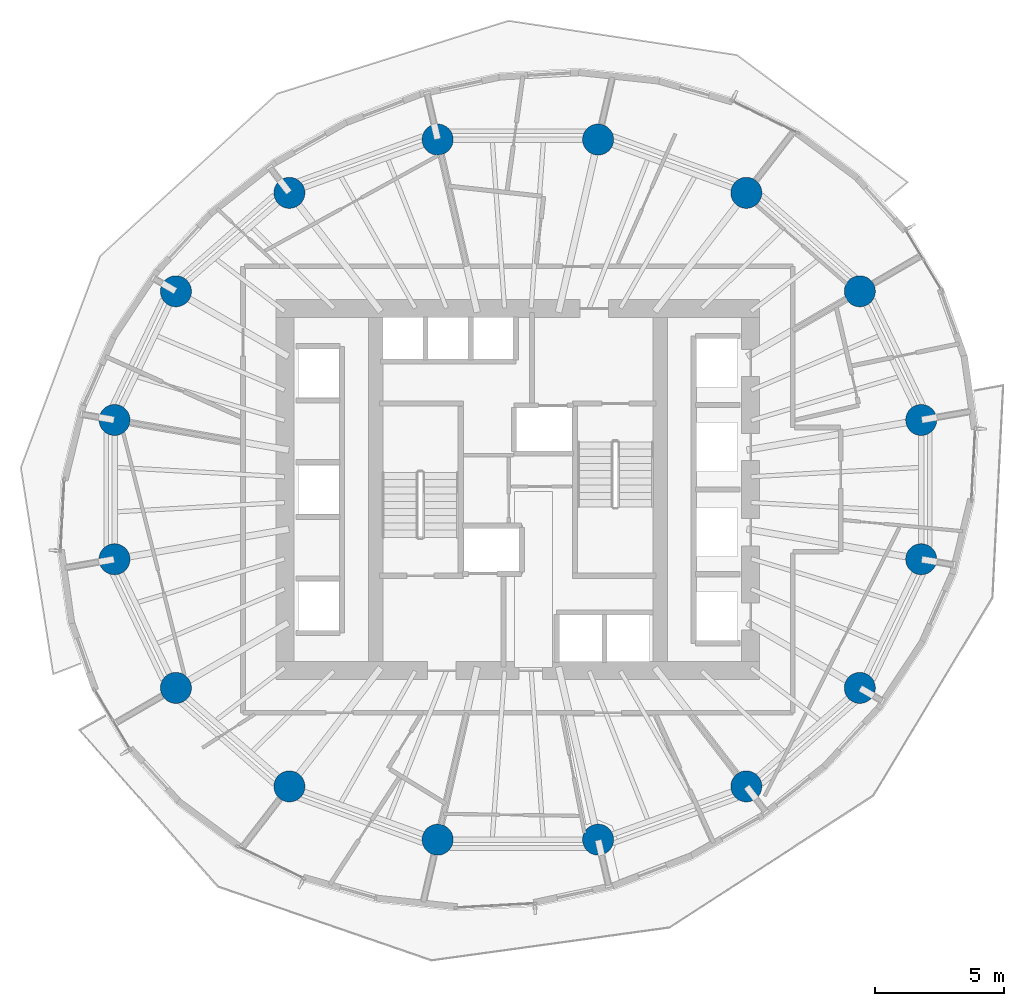
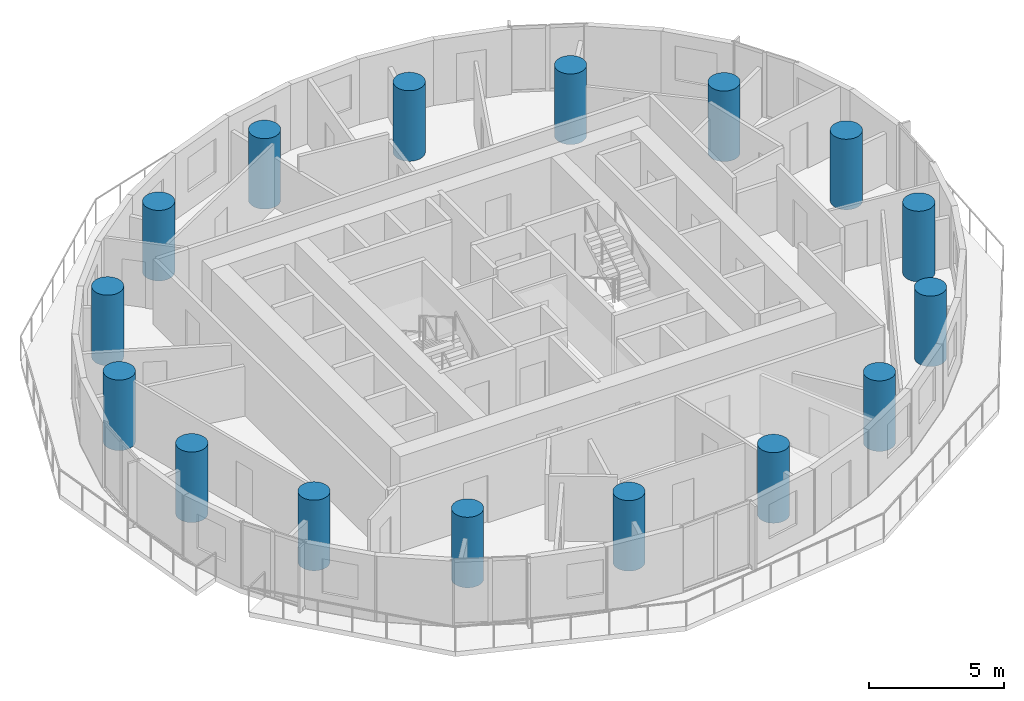
# One storey, part 1 of 15: 16 columns.
"""IFC4 building model written with IfcOpenShell, lengths in metres."""

import ifcopenshell
import ifcopenshell.guid

model = None  # the IFC model being written
_history = None  # IfcOwnerHistory: only IFC2X3 demands one
_inside = {}  # id of a spatial element -> (the spatial element, [elements in it])
_under = {}  # id of a project, library or spatial element -> (it, [spatial elements below it])
_declared = {}  # id of a project -> (the project, [libraries it declares])
_typed = {}  # id of a type object -> (the type object, [elements of that type])
_made_of = {}  # id of a material, layer set ... -> (it, [elements and type objects made of it])


def new_model(schema):
    """Start an empty IFC model of exactly this schema.

    Asked for "IFC4X3", IfcOpenShell would pick the latest addendum, in which some entities
    have other attributes; the version numbers below select the first issue.
    IFC2X3 requires an IfcOwnerHistory on every rooted entity: one is made here for all.
    """
    global model, _history
    if schema == "IFC4X3":
        model = ifcopenshell.file(schema_version=(4, 3, 0, 0))
    else:
        model = ifcopenshell.file(schema=schema)
    _inside.clear()
    _under.clear()
    _declared.clear()
    _typed.clear()
    _made_of.clear()
    _history = None
    if model.schema == "IFC2X3":
        org = make("IfcOrganization", Name="unknown")
        user = make(
            "IfcPersonAndOrganization",
            ThePerson=make("IfcPerson", FamilyName="unknown"),
            TheOrganization=org,
        )
        app = make(
            "IfcApplication",
            ApplicationDeveloper=org,
            Version="unknown",
            ApplicationFullName="unknown",
            ApplicationIdentifier="unknown",
        )
        _history = make(
            "IfcOwnerHistory",
            OwningUser=user,
            OwningApplication=app,
            ChangeAction="ADDED",
            CreationDate=0,
        )
    return model


def make(cls, **values):
    """One entity of the class cls with the attributes given. An attribute that is None is left unset."""
    return model.create_entity(
        cls, **{name: value for name, value in values.items() if value is not None}
    )


def rooted(cls, **values):
    """An entity with a GlobalId (a new one), such as an element, a storey or a relation."""
    return make(cls, GlobalId=ifcopenshell.guid.new(), OwnerHistory=_history, **values)


def si_unit(unit_type, name, prefix=None):
    """IfcSIUnit, for example si_unit("LENGTHUNIT", "METRE", prefix="MILLI")."""
    return make("IfcSIUnit", UnitType=unit_type, Prefix=prefix, Name=name)


def assignment(units):
    """IfcUnitAssignment: the units of a project."""
    return None if units is None else make("IfcUnitAssignment", Units=units)


def point(xyz):
    """IfcCartesianPoint."""
    return None if xyz is None else make("IfcCartesianPoint", Coordinates=xyz)


def direction(xyz):
    """IfcDirection."""
    return None if xyz is None else make("IfcDirection", DirectionRatios=xyz)


def frame(location, z_axis=None, x_axis=None):
    """IfcAxis2Placement3D, a coordinate frame: its origin and axes. An axis left out is left unset."""
    return make(
        "IfcAxis2Placement3D",
        Location=point(location),
        Axis=direction(z_axis),
        RefDirection=direction(x_axis),
    )


def frame_2d(location, x_axis=None):
    """IfcAxis2Placement2D, a coordinate frame in the plane: its origin and x axis."""
    return make(
        "IfcAxis2Placement2D", Location=point(location), RefDirection=direction(x_axis)
    )


def origin():
    """The frame at (0, 0, 0) with its axes left unset."""
    return frame((0.0, 0.0, 0.0))


def origin_2d():
    """The frame at (0, 0) in the plane with its x axis left unset."""
    return frame_2d((0.0, 0.0))


def place(relative_to, where):
    """IfcLocalPlacement: puts the frame where relative to a parent placement (None: the world)."""
    return make(
        "IfcLocalPlacement", PlacementRelTo=relative_to, RelativePlacement=where
    )


def context(
    kind, dimensions, precision=None, world=None, true_north=None, identifier=None
):
    """IfcGeometricRepresentationContext, for example the 3D "Model" context."""
    return make(
        "IfcGeometricRepresentationContext",
        ContextIdentifier=identifier,
        ContextType=kind,
        CoordinateSpaceDimension=dimensions,
        Precision=precision,
        WorldCoordinateSystem=world,
        TrueNorth=true_north,
    )


def subcontext(parent, identifier, kind, view, scale=None):
    """IfcGeometricRepresentationSubContext, for example "Body" below "Model"."""
    return make(
        "IfcGeometricRepresentationSubContext",
        ContextIdentifier=identifier,
        ContextType=kind,
        ParentContext=parent,
        TargetScale=scale,
        TargetView=view,
    )


def project(units=None, contexts=None):
    """IfcProject with its units and contexts."""
    return rooted(
        "IfcProject",
        Name="project",
        RepresentationContexts=contexts,
        UnitsInContext=assignment(units),
    )


def spatial(cls, under=None, at=None, **own):
    """A site, building, storey or space (cls), placed at a placement, below another one or the project."""
    s = rooted(cls, ObjectPlacement=at, **own)
    if under is not None:
        _under.setdefault(under.id(), (under, []))[1].append(s)
    return s


def profile(cls, at=None, kind="AREA", **sizes):
    """A parametric profile (cls). Its sizes go by their IFC names, for example OverallWidth=200.0."""
    return make(cls, ProfileType=kind, Position=at, **sizes)


def circle(**sizes):
    """IfcCircleProfileDef."""
    return profile("IfcCircleProfileDef", **sizes)


def extrude(swept, where, along, depth):
    """IfcExtrudedAreaSolid: the profile swept, set in the frame where, extruded along a direction by depth."""
    return make(
        "IfcExtrudedAreaSolid",
        SweptArea=swept,
        Position=where,
        ExtrudedDirection=direction(along),
        Depth=depth,
    )


def shape(context_of_items, identifier, shape_type, items):
    """IfcShapeRepresentation: the items that make up one representation, for example the "Body"."""
    return make(
        "IfcShapeRepresentation",
        ContextOfItems=context_of_items,
        RepresentationIdentifier=identifier,
        RepresentationType=shape_type,
        Items=items,
    )


def material(Name=None, Category=None):
    """IfcMaterial."""
    return make("IfcMaterial", Name=Name, Category=Category)


def material_profile(
    of_material, cross_section, Name=None, Category=None, Priority=None
):
    """IfcMaterialProfile: a cross section and its material."""
    return make(
        "IfcMaterialProfile",
        Name=Name,
        Material=of_material,
        Profile=cross_section,
        Priority=Priority,
        Category=Category,
    )


def profile_set(profiles, Name=None, composite=None):
    """IfcMaterialProfileSet."""
    return make(
        "IfcMaterialProfileSet",
        Name=Name,
        MaterialProfiles=profiles,
        CompositeProfile=composite,
    )


def made_of(thing, what):
    """Note that an element or type object is made of a material, layer set ...; save() writes the relation."""
    if what is not None:
        _made_of.setdefault(what.id(), (what, []))[1].append(thing)
    return thing


def type_object(cls, material=None, **own):
    """A type object (cls), such as IfcWallType, which elements share."""
    return made_of(rooted(cls, **own), material)


def element(
    cls,
    number,
    at=None,
    inside=None,
    cuts=None,
    type_object=None,
    material=None,
    context=None,
    identifier="Body",
    shape_type=None,
    held_by="IfcProductDefinitionShape",
    body=None,
    shapes=None,
    **own,
):
    """One element of the class cls, such as IfcWall. Its Tag is "e" and its number.

    at: its placement. inside: the storey or other place that contains it. cuts: it is an
    opening in that element (IfcRelVoidsElement). A single representation is given by context,
    identifier, shape_type and body (its items); several are given by shapes. held_by: the class
    of the entity that holds the representations. save() writes the other relations.
    """
    e = rooted(cls, Tag="e%d" % number, ObjectPlacement=at, **own)
    if body is not None:
        shapes = [shape(context, identifier, shape_type, body)]
    if shapes is not None:
        e.Representation = make(held_by, Representations=shapes)
    if inside is not None:
        _inside.setdefault(inside.id(), (inside, []))[1].append(e)
    if cuts is not None:
        rooted(
            "IfcRelVoidsElement", RelatingBuildingElement=cuts, RelatedOpeningElement=e
        )
    if type_object is not None:
        _typed.setdefault(type_object.id(), (type_object, []))[1].append(e)
    return made_of(e, material)


def aggregate(whole, parts):
    """IfcRelAggregates: a whole, such as a stair, and the parts it consists of."""
    return rooted("IfcRelAggregates", RelatingObject=whole, RelatedObjects=parts)


def save(model, path):
    """Write the relations noted so far, then the file.

    IfcRelAggregates (storeys below a building ...), IfcRelContainedInSpatialStructure (elements
    in a storey), IfcRelDefinesByType, IfcRelAssociatesMaterial and IfcRelDeclares: one each for
    every whole, place, type object, material and project.
    """
    for whole, parts in _under.values():
        aggregate(whole, parts)
    for where, things in _inside.values():
        rooted(
            "IfcRelContainedInSpatialStructure",
            RelatedElements=things,
            RelatingStructure=where,
        )
    for kind, things in _typed.values():
        rooted("IfcRelDefinesByType", RelatedObjects=things, RelatingType=kind)
    for what, things in _made_of.values():
        rooted("IfcRelAssociatesMaterial", RelatedObjects=things, RelatingMaterial=what)
    for by, libraries in _declared.values():
        rooted("IfcRelDeclares", RelatingContext=by, RelatedDefinitions=libraries)
    model.write(path)


model = new_model("IFC4")

# Units and contexts
model_context = context("Model", 3, precision=1e-05, world=origin(), true_north=direction((0.0, 1.0)))
body_context = subcontext(model_context, "Body", "Model", "MODEL_VIEW")
ifc_project = project(units=[si_unit("LENGTHUNIT", "METRE"), si_unit("AREAUNIT", "SQUARE_METRE"), si_unit("VOLUMEUNIT", "CUBIC_METRE"), si_unit("PLANEANGLEUNIT", "RADIAN"), si_unit("MASSUNIT", "GRAM", prefix="KILO")], contexts=[model_context])

# Site, building, storey
site_placement = place(None, origin())
site = spatial("IfcSite", under=ifc_project, at=site_placement, CompositionType="ELEMENT")
building_placement = place(site_placement, origin())
building = spatial("IfcBuilding", under=site, at=building_placement, Name="Veldorim Arch Residences", CompositionType="ELEMENT")
storey_placement = place(building_placement, frame((0.0, 0.0, 106.080078125)))
storey = spatial("IfcBuildingStorey", under=building, at=storey_placement, Name="L31", CompositionType="ELEMENT", Elevation=106.080078125)

# Columns
ifc_material = material(Name="Concrete C60/75", Category="concrete")
ifc_material_profile = material_profile(ifc_material, circle(Radius=0.60009765625, at=origin_2d()), Name="RC_CIRC_1200")
ifc_profile_set = profile_set([ifc_material_profile], Name="Concrete C60/75")
column_type = type_object("IfcColumnType", Name="Structural Column RC_CIRC_1200", PredefinedType="COLUMN", material=ifc_profile_set)
for number, where, z_axis, x_axis, name in (
    (1, (47.594482421875, 26.692138671875, 0.0), (0.0, 0.0, 1.0), (1.0, 0.0, 0.0), "L31 TC-Z2-01 perimeter column"),
    (2, (45.220458984375, 31.6669921875, 0.0), (0.0, 0.0, 1.0), (1.0, 0.0, 0.0), "L31 TC-Z2-02 perimeter column"),
    (3, (40.83349609375, 35.474365234375, 0.0), (0.0, 0.0, 1.0), (1.0, 0.0, 0.0), "L31 TC-Z2-03 perimeter column"),
    (4, (35.101806640625, 37.534912109375, 0.0), (0.0, 0.0, 1.0), (1.0, 0.0, 0.0), "L31 TC-Z2-04 perimeter column"),
    (5, (28.898193359375, 37.534912109375, 0.0), (0.0, 0.0, 1.0), (1.0, 0.0, 0.0), "L31 TC-Z2-05 perimeter column"),
    (6, (23.16650390625, 35.474365234375, 0.0), (0.0, 0.0, 1.0), (1.0, 0.0, 0.0), "L31 TC-Z2-06 perimeter column"),
    (7, (18.779541015625, 31.6669921875, 0.0), (0.0, 0.0, 1.0), (1.0, 0.0, 0.0), "L31 TC-Z2-07 perimeter column"),
    (8, (16.405517578125, 26.692138671875, 0.0), (0.0, 0.0, 1.0), (1.0, 0.0, 0.0), "L31 TC-Z2-08 perimeter column"),
    (9, (16.405517578125, 21.307861328125, 0.0), (0.0, 0.0, 1.0), (1.0, 0.0, 0.0), "L31 TC-Z2-09 perimeter column"),
    (10, (18.779541015625, 16.3330078125, 0.0), (0.0, 0.0, 1.0), (1.0, 0.0, 0.0), "L31 TC-Z2-10 perimeter column"),
    (11, (23.16650390625, 12.525634765625, 0.0), (0.0, 0.0, 1.0), (1.0, 0.0, 0.0), "L31 TC-Z2-11 perimeter column"),
    (12, (28.898193359375, 10.465087890625, 0.0), (0.0, 0.0, 1.0), (1.0, 0.0, 0.0), "L31 TC-Z2-12 perimeter column"),
    (13, (35.101806640625, 10.465087890625, 0.0), (0.0, 0.0, 1.0), (1.0, 0.0, 0.0), "L31 TC-Z2-13 perimeter column"),
    (14, (40.83349609375, 12.525634765625, 0.0), (0.0, 0.0, 1.0), (1.0, 0.0, 0.0), "L31 TC-Z2-14 perimeter column"),
    (15, (45.220458984375, 16.3330078125, 0.0), (0.0, 0.0, 1.0), (1.0, 0.0, 0.0), "L31 TC-Z2-15 perimeter column"),
    (16, (47.594482421875, 21.307861328125, 0.0), (0.0, 0.0, 1.0), (1.0, 0.0, 0.0), "L31 TC-Z2-16 perimeter column"),
):
    element("IfcColumn", number, at=place(storey_placement, frame(where, z_axis=z_axis, x_axis=x_axis)), inside=storey, type_object=column_type, Name=name, PredefinedType="COLUMN", context=body_context, shape_type="SweptSolid", body=[
        extrude(circle(Radius=0.60009765625, at=origin_2d()), origin(), (0.0, 0.0, 1.0), 3.199951171875),
    ])

save(model, "model.ifc")
